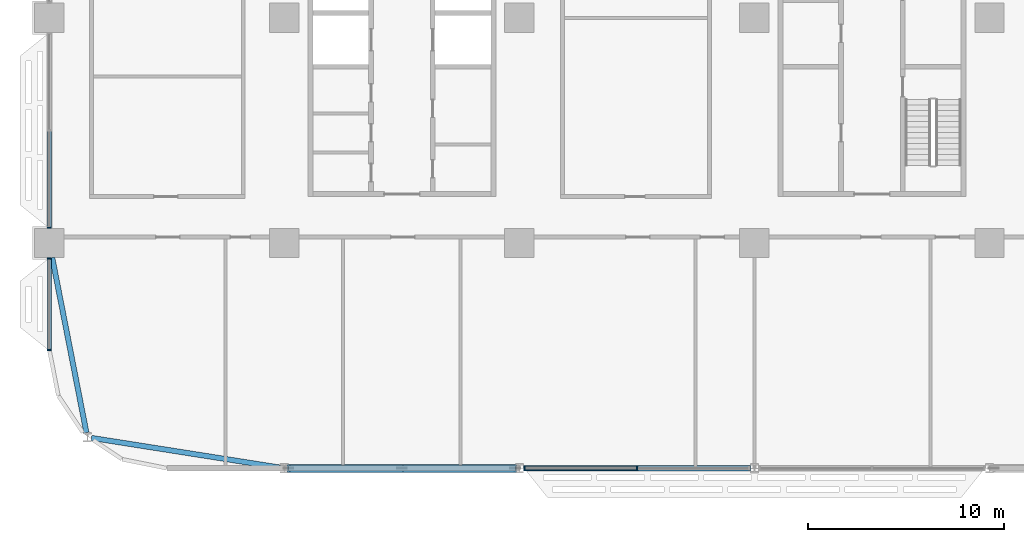
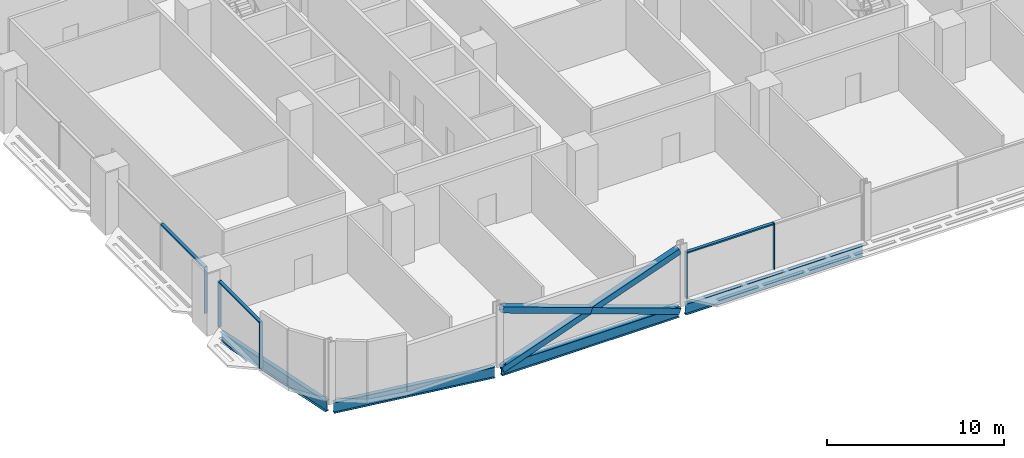
# One storey, part 3 of 29: 11 members, 4 beams, 3 elements without a shape of their own.
"""IFC4 building model written with IfcOpenShell, lengths in metres."""

from ifc_helpers import new_model, si_unit, direction, frame, origin, origin_2d, place, context, subcontext, project, spatial, rectangle, hollow_rectangle, i_section, extrude, material, material_profile, profile_set, type_object, element, aggregate, save


model = new_model("IFC4")

# Units and contexts
model_context = context("Model", 3, precision=1e-05, world=origin(), true_north=direction((0.0, 1.0)))
body_context = subcontext(model_context, "Body", "Model", "MODEL_VIEW")
ifc_project = project(units=[si_unit("LENGTHUNIT", "METRE"), si_unit("AREAUNIT", "SQUARE_METRE"), si_unit("VOLUMEUNIT", "CUBIC_METRE"), si_unit("PLANEANGLEUNIT", "RADIAN"), si_unit("MASSUNIT", "GRAM", prefix="KILO")], contexts=[model_context])

# Site, building, storey
site_placement = place(None, origin())
site = spatial("IfcSite", under=ifc_project, at=site_placement, CompositionType="ELEMENT")
building_placement = place(site_placement, origin())
building = spatial("IfcBuilding", under=site, at=building_placement, Name="Mahtab Terrace Research Tower", CompositionType="ELEMENT")
storey_placement = place(building_placement, frame((0.0, 0.0, 71.800048828125)))
storey = spatial("IfcBuildingStorey", under=building, at=storey_placement, Name="L16", CompositionType="ELEMENT", Elevation=71.800048828125)

# Members
ifc_material_1 = material(Name="Steel ASTM A500 Gr C", Category="steel")
ifc_material_profile_1 = material_profile(ifc_material_1, hollow_rectangle(XDim=0.406494140625, YDim=0.406494140625, WallThickness=0.01904296875, at=origin_2d()), Name="HSS16X16X3/4")
ifc_profile_set_1 = profile_set([ifc_material_profile_1], Name="Steel ASTM A500 Gr C")
member_type_1 = type_object("IfcMemberType", Name="HSS 16x16x3/4 brace XB161634", PredefinedType="BRACE", material=ifc_profile_set_1)
member_1_placement = place(storey_placement, frame((-29.787841796875, -23.0, -0.642578125), z_axis=(0.94138021482, 0.0, 0.33734743388), x_axis=(0.0, 1.0, 0.0)))
element("IfcMember", 1, at=member_1_placement, inside=storey, type_object=member_type_1, Name="Exoskeleton brace L16 14 a", PredefinedType="BRACE", context=body_context, shape_type="SweptSolid", body=[
    extrude(hollow_rectangle(XDim=0.406494140625, YDim=0.406494140625, WallThickness=0.01904296875, at=origin_2d()), origin(), (0.0, 0.0, 1.0), 12.29638671875),
])
for number, where, z_axis, x_axis, name in (
    (2, (-18.212158203125, -23.0, -0.642578125), (-0.941386519928, 0.0, 0.337329838731), (0.0, -1.0, 0.0), "Exoskeleton brace L16 14 b1"),
    (3, (-24.0, -23.0, 1.431396484375), (-0.941373909467, 0.0, 0.337365028677), (0.0, -1.0, 0.0), "Exoskeleton brace L16 14 b2"),
):
    element("IfcMember", number, at=place(storey_placement, frame(where, z_axis=z_axis, x_axis=x_axis)), inside=storey, type_object=member_type_1, Name=name, PredefinedType="BRACE", context=body_context, shape_type="SweptSolid", body=[
        extrude(hollow_rectangle(XDim=0.406494140625, YDim=0.406494140625, WallThickness=0.01904296875, at=origin_2d()), origin(), (0.0, 0.0, 1.0), 6.148193359375),
    ])

# Curtain wall, member
ifc_material_2 = material(Name="Laboratory ribbon curtain wall")
curtain_wall_type = type_object("IfcCurtainWallType", Name="Laboratory ribbon curtain wall", PredefinedType="NOTDEFINED", material=ifc_material_2)
curtain_wall_1_placement = place(storey_placement, origin())
curtain_wall_1 = element("IfcCurtainWall", 4, at=curtain_wall_1_placement, inside=storey, type_object=curtain_wall_type, Name="EN.L16.8.17", PredefinedType="NOTDEFINED")
ifc_material_3 = material(Name="Natural anodised aluminium", Category="aluminium")
ifc_material_profile_2 = material_profile(ifc_material_3, rectangle(XDim=0.199951171875, YDim=0.06494140625, at=origin_2d()), Name="MULLION 65x200")
ifc_profile_set_2 = profile_set([ifc_material_profile_2], Name="Natural anodised aluminium")
member_type_2 = type_object("IfcMemberType", Name="Laboratory ribbon curtain wall mullion", PredefinedType="MULLION", material=ifc_profile_set_2)
member_2_placement = place(storey_placement, frame((-42.0, -10.717529296875, 0.0), z_axis=(0.0, 0.0, 1.0), x_axis=(1.0, 0.0, 0.0)))
member_2 = element("IfcMember", 5, at=member_2_placement, type_object=member_type_2, Name="CWL-2 mullion 3", PredefinedType="MULLION", context=body_context, shape_type="SweptSolid", body=[
    extrude(rectangle(XDim=0.199951171875, YDim=0.06494140625, at=origin_2d()), origin(), (0.0, 0.0, 1.0), 3.203125),
])

# Curtain wall, members
curtain_wall_2_placement = place(storey_placement, origin())
curtain_wall_2 = element("IfcCurtainWall", 6, at=curtain_wall_2_placement, inside=storey, type_object=curtain_wall_type, Name="EN.L16.8.18", PredefinedType="NOTDEFINED")
member_3_placement = place(storey_placement, frame((-42.0, -12.282470703125, 0.0), z_axis=(0.0, 0.0, 1.0), x_axis=(1.0, 0.0, 0.0)))
member_3 = element("IfcMember", 7, at=member_3_placement, type_object=member_type_2, Name="CWL-2 mullion 1", PredefinedType="MULLION", context=body_context, shape_type="SweptSolid", body=[
    extrude(rectangle(XDim=0.199951171875, YDim=0.06494140625, at=origin_2d()), origin(), (0.0, 0.0, 1.0), 3.203125),
])
member_4_placement = place(storey_placement, frame((-42.0, -16.967529296875, 0.0), z_axis=(0.0, 0.0, 1.0), x_axis=(1.0, 0.0, 0.0)))
member_4 = element("IfcMember", 8, at=member_4_placement, type_object=member_type_2, Name="CWL-2 mullion 2", PredefinedType="MULLION", context=body_context, shape_type="SweptSolid", body=[
    extrude(rectangle(XDim=0.199951171875, YDim=0.06494140625, at=origin_2d()), origin(), (0.0, 0.0, 1.0), 3.203125),
])

curtain_wall_3_placement = place(storey_placement, origin())
curtain_wall_3 = element("IfcCurtainWall", 9, at=curtain_wall_3_placement, inside=storey, type_object=curtain_wall_type, Name="EN.L16.13.25", PredefinedType="NOTDEFINED")
member_5_placement = place(storey_placement, frame((-17.7294921875, -23.0, 0.0), z_axis=(0.0, 0.0, 1.0), x_axis=(0.0, 1.0, 0.0)))
member_5 = element("IfcMember", 10, at=member_5_placement, type_object=member_type_2, Name="CWL-2 mullion 1", PredefinedType="MULLION", context=body_context, shape_type="SweptSolid", body=[
    extrude(rectangle(XDim=0.199951171875, YDim=0.06494140625, at=origin_2d()), origin(), (0.0, 0.0, 1.0), 3.203125),
])
member_6_placement = place(storey_placement, frame((-12.0, -23.0, 0.0), z_axis=(0.0, 0.0, 1.0), x_axis=(0.0, 1.0, 0.0)))
member_6 = element("IfcMember", 11, at=member_6_placement, type_object=member_type_2, Name="CWL-2 mullion 2", PredefinedType="MULLION", context=body_context, shape_type="SweptSolid", body=[
    extrude(rectangle(XDim=0.199951171875, YDim=0.06494140625, at=origin_2d()), origin(), (0.0, 0.0, 1.0), 3.203125),
])

# Member
ifc_material_profile_3 = material_profile(ifc_material_3, rectangle(XDim=0.199951171875, YDim=0.10009765625, at=origin_2d()), Name="TRANSOM 100x200")
ifc_profile_set_3 = profile_set([ifc_material_profile_3], Name="Natural anodised aluminium")
member_type_3 = type_object("IfcMemberType", Name="Laboratory ribbon curtain wall transom", PredefinedType="USERDEFINED", material=ifc_profile_set_3)
member_7_placement = place(storey_placement, frame((-42.0, -5.782470703125, 3.153076171875), z_axis=(0.0, -1.0, 0.0), x_axis=(1.0, 0.0, 0.0)))
member_7 = element("IfcMember", 12, at=member_7_placement, type_object=member_type_3, Name="CWL-2 transom 2", ObjectType="TRANSOM", PredefinedType="USERDEFINED", context=body_context, shape_type="SweptSolid", body=[
    extrude(rectangle(XDim=0.199951171875, YDim=0.10009765625, at=origin_2d()), origin(), (0.0, 0.0, 1.0), 4.902587890625),
])

aggregate(curtain_wall_1, [member_2, member_7])

member_8_placement = place(storey_placement, frame((-42.0, -12.31494140625, 3.153076171875), z_axis=(0.0, -1.0, 0.0), x_axis=(1.0, 0.0, 0.0)))
member_8 = element("IfcMember", 13, at=member_8_placement, type_object=member_type_3, Name="CWL-2 transom 1", ObjectType="TRANSOM", PredefinedType="USERDEFINED", context=body_context, shape_type="SweptSolid", body=[
    extrude(rectangle(XDim=0.199951171875, YDim=0.10009765625, at=origin_2d()), origin(), (0.0, 0.0, 1.0), 4.6201171875),
])

aggregate(curtain_wall_2, [member_3, member_4, member_8])

member_9_placement = place(storey_placement, frame((-17.697021484375, -23.0, 3.153076171875), z_axis=(1.0, 0.0, 0.0), x_axis=(0.0, 1.0, 0.0)))
member_9 = element("IfcMember", 14, at=member_9_placement, type_object=member_type_3, Name="CWL-2 transom 1", ObjectType="TRANSOM", PredefinedType="USERDEFINED", context=body_context, shape_type="SweptSolid", body=[
    extrude(rectangle(XDim=0.199951171875, YDim=0.10009765625, at=origin_2d()), origin(), (0.0, 0.0, 1.0), 5.66455078125),
])

aggregate(curtain_wall_3, [member_5, member_6, member_9])

# Beams
ifc_material_4 = material(Name="Steel ASTM A992 Gr 50", Category="steel")
ifc_material_profile_4 = material_profile(ifc_material_4, i_section(OverallWidth=0.2666015625, OverallDepth=0.7568359375, WebThickness=0.013916015625, FlangeThickness=0.019287109375, at=origin_2d()), Name="W30X108")
ifc_profile_set_4 = profile_set([ifc_material_profile_4], Name="Steel ASTM A992 Gr 50")
beam_type = type_object("IfcBeamType", Name="W30x108 beam BS30108", PredefinedType="BEAM", material=ifc_profile_set_4)
beam_1_placement = place(storey_placement, frame((-41.853515625, -12.25, -0.718505859375), z_axis=(0.191825617976, -0.981429025599, 0.0), x_axis=(0.981429025599, 0.191825617976, 0.0)))
element("IfcBeam", 15, at=beam_1_placement, inside=storey, type_object=beam_type, Name="Spandrel beam L16 12", PredefinedType="BEAM", context=body_context, shape_type="SweptSolid", body=[
    extrude(i_section(OverallWidth=0.2666015625, OverallDepth=0.7568359375, WebThickness=0.013916015625, FlangeThickness=0.019287109375, at=origin_2d()), origin(), (0.0, 0.0, 1.0), 9.097412109375),
])
beam_2_placement = place(storey_placement, frame((-39.849853515625, -21.449462890625, -0.718505859375), z_axis=(0.987836303792, -0.155497385545, 0.0), x_axis=(0.155497385545, 0.987836303792, 0.0)))
element("IfcBeam", 16, at=beam_2_placement, inside=storey, type_object=beam_type, Name="Spandrel beam L16 13", PredefinedType="BEAM", context=body_context, shape_type="SweptSolid", body=[
    extrude(i_section(OverallWidth=0.2666015625, OverallDepth=0.7568359375, WebThickness=0.013916015625, FlangeThickness=0.019287109375, at=origin_2d()), origin(), (0.0, 0.0, 1.0), 9.75634765625),
])
for number, where, z_axis, x_axis, name in (
    (17, (-29.787841796875, -23.0, -0.718505859375), (1.0, 0.0, 0.0), (0.0, 1.0, 0.0), "Spandrel beam L16 14"),
    (18, (-17.787841796875, -23.0, -0.718505859375), (1.0, 0.0, 0.0), (0.0, 1.0, 0.0), "Spandrel beam L16 15"),
):
    element("IfcBeam", number, at=place(storey_placement, frame(where, z_axis=z_axis, x_axis=x_axis)), inside=storey, type_object=beam_type, Name=name, PredefinedType="BEAM", context=body_context, shape_type="SweptSolid", body=[
        extrude(i_section(OverallWidth=0.2666015625, OverallDepth=0.7568359375, WebThickness=0.013916015625, FlangeThickness=0.019287109375, at=origin_2d()), origin(), (0.0, 0.0, 1.0), 11.57568359375),
    ])

save(model, "model.ifc")
